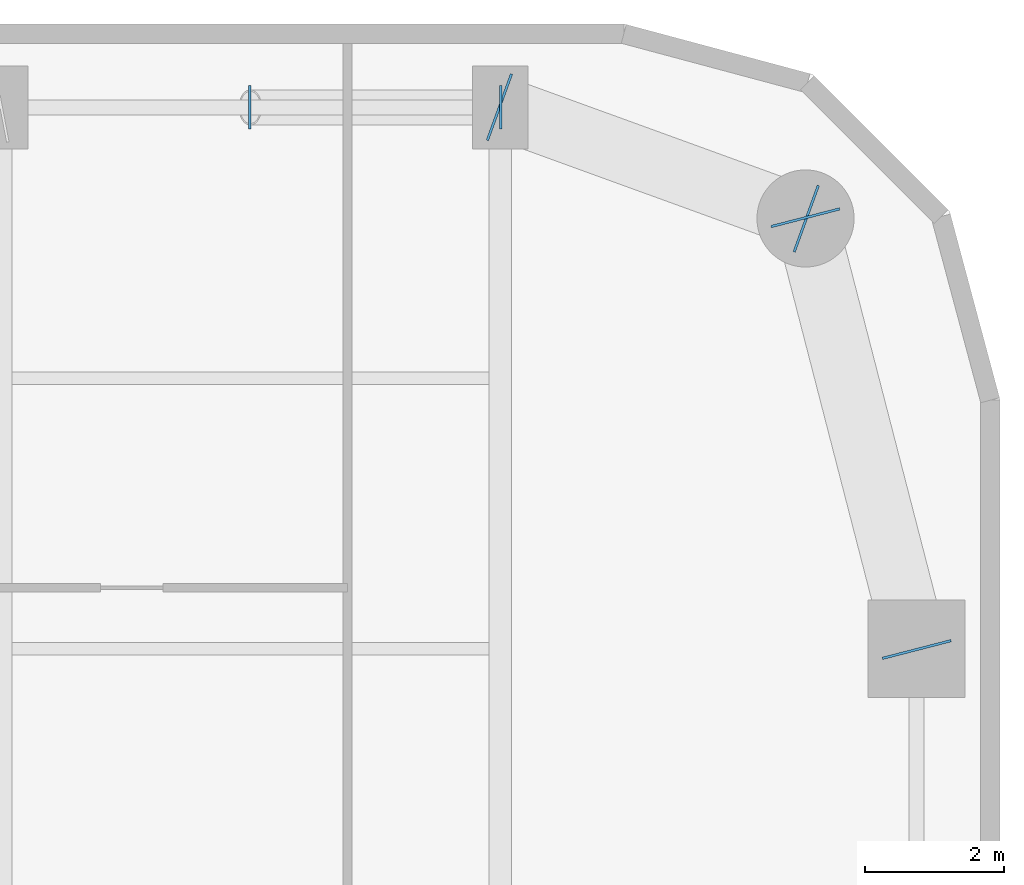
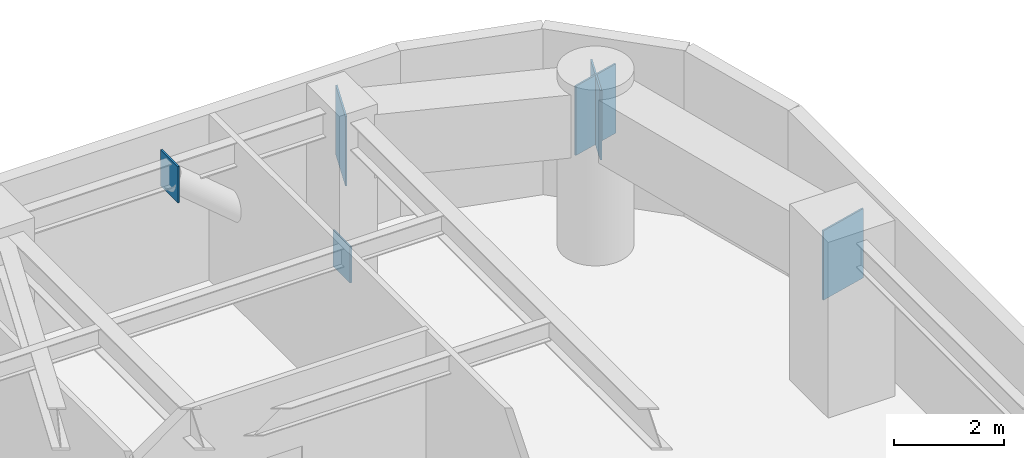
# One storey, part 23 of 31: 6 plates.
"""IFC4 building model written with IfcOpenShell, lengths in metres."""

import ifcopenshell
import ifcopenshell.guid

model = None  # the IFC model being written
_history = None  # IfcOwnerHistory: only IFC2X3 demands one
_inside = {}  # id of a spatial element -> (the spatial element, [elements in it])
_under = {}  # id of a project, library or spatial element -> (it, [spatial elements below it])
_declared = {}  # id of a project -> (the project, [libraries it declares])
_typed = {}  # id of a type object -> (the type object, [elements of that type])
_made_of = {}  # id of a material, layer set ... -> (it, [elements and type objects made of it])


def new_model(schema):
    """Start an empty IFC model of exactly this schema.

    Asked for "IFC4X3", IfcOpenShell would pick the latest addendum, in which some entities
    have other attributes; the version numbers below select the first issue.
    IFC2X3 requires an IfcOwnerHistory on every rooted entity: one is made here for all.
    """
    global model, _history
    if schema == "IFC4X3":
        model = ifcopenshell.file(schema_version=(4, 3, 0, 0))
    else:
        model = ifcopenshell.file(schema=schema)
    _inside.clear()
    _under.clear()
    _declared.clear()
    _typed.clear()
    _made_of.clear()
    _history = None
    if model.schema == "IFC2X3":
        org = make("IfcOrganization", Name="unknown")
        user = make(
            "IfcPersonAndOrganization",
            ThePerson=make("IfcPerson", FamilyName="unknown"),
            TheOrganization=org,
        )
        app = make(
            "IfcApplication",
            ApplicationDeveloper=org,
            Version="unknown",
            ApplicationFullName="unknown",
            ApplicationIdentifier="unknown",
        )
        _history = make(
            "IfcOwnerHistory",
            OwningUser=user,
            OwningApplication=app,
            ChangeAction="ADDED",
            CreationDate=0,
        )
    return model


def make(cls, **values):
    """One entity of the class cls with the attributes given. An attribute that is None is left unset."""
    return model.create_entity(
        cls, **{name: value for name, value in values.items() if value is not None}
    )


def rooted(cls, **values):
    """An entity with a GlobalId (a new one), such as an element, a storey or a relation."""
    return make(cls, GlobalId=ifcopenshell.guid.new(), OwnerHistory=_history, **values)


def si_unit(unit_type, name, prefix=None):
    """IfcSIUnit, for example si_unit("LENGTHUNIT", "METRE", prefix="MILLI")."""
    return make("IfcSIUnit", UnitType=unit_type, Prefix=prefix, Name=name)


def assignment(units):
    """IfcUnitAssignment: the units of a project."""
    return None if units is None else make("IfcUnitAssignment", Units=units)


def point(xyz):
    """IfcCartesianPoint."""
    return None if xyz is None else make("IfcCartesianPoint", Coordinates=xyz)


def direction(xyz):
    """IfcDirection."""
    return None if xyz is None else make("IfcDirection", DirectionRatios=xyz)


def frame(location, z_axis=None, x_axis=None):
    """IfcAxis2Placement3D, a coordinate frame: its origin and axes. An axis left out is left unset."""
    return make(
        "IfcAxis2Placement3D",
        Location=point(location),
        Axis=direction(z_axis),
        RefDirection=direction(x_axis),
    )


def frame_2d(location, x_axis=None):
    """IfcAxis2Placement2D, a coordinate frame in the plane: its origin and x axis."""
    return make(
        "IfcAxis2Placement2D", Location=point(location), RefDirection=direction(x_axis)
    )


def origin():
    """The frame at (0, 0, 0) with its axes left unset."""
    return frame((0.0, 0.0, 0.0))


def origin_2d():
    """The frame at (0, 0) in the plane with its x axis left unset."""
    return frame_2d((0.0, 0.0))


def place(relative_to, where):
    """IfcLocalPlacement: puts the frame where relative to a parent placement (None: the world)."""
    return make(
        "IfcLocalPlacement", PlacementRelTo=relative_to, RelativePlacement=where
    )


def context(
    kind, dimensions, precision=None, world=None, true_north=None, identifier=None
):
    """IfcGeometricRepresentationContext, for example the 3D "Model" context."""
    return make(
        "IfcGeometricRepresentationContext",
        ContextIdentifier=identifier,
        ContextType=kind,
        CoordinateSpaceDimension=dimensions,
        Precision=precision,
        WorldCoordinateSystem=world,
        TrueNorth=true_north,
    )


def subcontext(parent, identifier, kind, view, scale=None):
    """IfcGeometricRepresentationSubContext, for example "Body" below "Model"."""
    return make(
        "IfcGeometricRepresentationSubContext",
        ContextIdentifier=identifier,
        ContextType=kind,
        ParentContext=parent,
        TargetScale=scale,
        TargetView=view,
    )


def project(units=None, contexts=None):
    """IfcProject with its units and contexts."""
    return rooted(
        "IfcProject",
        Name="project",
        RepresentationContexts=contexts,
        UnitsInContext=assignment(units),
    )


def spatial(cls, under=None, at=None, **own):
    """A site, building, storey or space (cls), placed at a placement, below another one or the project."""
    s = rooted(cls, ObjectPlacement=at, **own)
    if under is not None:
        _under.setdefault(under.id(), (under, []))[1].append(s)
    return s


def profile(cls, at=None, kind="AREA", **sizes):
    """A parametric profile (cls). Its sizes go by their IFC names, for example OverallWidth=200.0."""
    return make(cls, ProfileType=kind, Position=at, **sizes)


def rectangle(**sizes):
    """IfcRectangleProfileDef."""
    return profile("IfcRectangleProfileDef", **sizes)


def extrude(swept, where, along, depth):
    """IfcExtrudedAreaSolid: the profile swept, set in the frame where, extruded along a direction by depth."""
    return make(
        "IfcExtrudedAreaSolid",
        SweptArea=swept,
        Position=where,
        ExtrudedDirection=direction(along),
        Depth=depth,
    )


def shape(context_of_items, identifier, shape_type, items):
    """IfcShapeRepresentation: the items that make up one representation, for example the "Body"."""
    return make(
        "IfcShapeRepresentation",
        ContextOfItems=context_of_items,
        RepresentationIdentifier=identifier,
        RepresentationType=shape_type,
        Items=items,
    )


def material(Name=None, Category=None):
    """IfcMaterial."""
    return make("IfcMaterial", Name=Name, Category=Category)


def layer(
    of_material, thickness, ventilated=None, Name=None, Category=None, Priority=None
):
    """IfcMaterialLayer: one layer of a wall or slab, of a material (None: an air gap)."""
    return make(
        "IfcMaterialLayer",
        Material=of_material,
        LayerThickness=thickness,
        IsVentilated=ventilated,
        Name=Name,
        Category=Category,
        Priority=Priority,
    )


def layer_set(layers, Name=None):
    """IfcMaterialLayerSet."""
    return make("IfcMaterialLayerSet", MaterialLayers=layers, LayerSetName=Name)


def made_of(thing, what):
    """Note that an element or type object is made of a material, layer set ...; save() writes the relation."""
    if what is not None:
        _made_of.setdefault(what.id(), (what, []))[1].append(thing)
    return thing


def type_object(cls, material=None, **own):
    """A type object (cls), such as IfcWallType, which elements share."""
    return made_of(rooted(cls, **own), material)


def element(
    cls,
    number,
    at=None,
    inside=None,
    cuts=None,
    type_object=None,
    material=None,
    context=None,
    identifier="Body",
    shape_type=None,
    held_by="IfcProductDefinitionShape",
    body=None,
    shapes=None,
    **own,
):
    """One element of the class cls, such as IfcWall. Its Tag is "e" and its number.

    at: its placement. inside: the storey or other place that contains it. cuts: it is an
    opening in that element (IfcRelVoidsElement). A single representation is given by context,
    identifier, shape_type and body (its items); several are given by shapes. held_by: the class
    of the entity that holds the representations. save() writes the other relations.
    """
    e = rooted(cls, Tag="e%d" % number, ObjectPlacement=at, **own)
    if body is not None:
        shapes = [shape(context, identifier, shape_type, body)]
    if shapes is not None:
        e.Representation = make(held_by, Representations=shapes)
    if inside is not None:
        _inside.setdefault(inside.id(), (inside, []))[1].append(e)
    if cuts is not None:
        rooted(
            "IfcRelVoidsElement", RelatingBuildingElement=cuts, RelatedOpeningElement=e
        )
    if type_object is not None:
        _typed.setdefault(type_object.id(), (type_object, []))[1].append(e)
    return made_of(e, material)


def aggregate(whole, parts):
    """IfcRelAggregates: a whole, such as a stair, and the parts it consists of."""
    return rooted("IfcRelAggregates", RelatingObject=whole, RelatedObjects=parts)


def save(model, path):
    """Write the relations noted so far, then the file.

    IfcRelAggregates (storeys below a building ...), IfcRelContainedInSpatialStructure (elements
    in a storey), IfcRelDefinesByType, IfcRelAssociatesMaterial and IfcRelDeclares: one each for
    every whole, place, type object, material and project.
    """
    for whole, parts in _under.values():
        aggregate(whole, parts)
    for where, things in _inside.values():
        rooted(
            "IfcRelContainedInSpatialStructure",
            RelatedElements=things,
            RelatingStructure=where,
        )
    for kind, things in _typed.values():
        rooted("IfcRelDefinesByType", RelatedObjects=things, RelatingType=kind)
    for what, things in _made_of.values():
        rooted("IfcRelAssociatesMaterial", RelatedObjects=things, RelatingMaterial=what)
    for by, libraries in _declared.values():
        rooted("IfcRelDeclares", RelatingContext=by, RelatedDefinitions=libraries)
    model.write(path)


model = new_model("IFC4")

# Units and contexts
model_context = context("Model", 3, precision=1e-05, world=origin(), true_north=direction((0.0, 1.0)))
body_context = subcontext(model_context, "Body", "Model", "MODEL_VIEW")
ifc_project = project(units=[si_unit("LENGTHUNIT", "METRE"), si_unit("AREAUNIT", "SQUARE_METRE"), si_unit("VOLUMEUNIT", "CUBIC_METRE"), si_unit("PLANEANGLEUNIT", "RADIAN"), si_unit("MASSUNIT", "GRAM", prefix="KILO")], contexts=[model_context])

# Site, building, storey
site_placement = place(None, origin())
site = spatial("IfcSite", under=ifc_project, at=site_placement, CompositionType="ELEMENT")
building_placement = place(site_placement, origin())
building = spatial("IfcBuilding", under=site, at=building_placement, Name="Kiyonajd Concourse Tower", CompositionType="ELEMENT")
storey_placement = place(building_placement, frame((0.0, 0.0, 158.39990234375)))
storey = spatial("IfcBuildingStorey", under=building, at=storey_placement, Name="L40", CompositionType="ELEMENT", Elevation=158.39990234375)

# Plates
ifc_material = material(Name="Steel ASTM A572 Grade 50", Category="steel")
ifc_layer_1 = layer(ifc_material, 0.028076171875)
ifc_layer_set_1 = layer_set([ifc_layer_1], Name="Steel ASTM A572 Grade 50")
plate_type_1 = type_object("IfcPlateType", Name="PL-CAP-450", PredefinedType="USERDEFINED", material=ifc_layer_set_1)
for number, where, z_axis, x_axis, name in (
    (1, (63.6083984375, 61.199951171875, -0.10888671875), (0.0, 0.0, 1.0), (1.0, 0.0, 0.0), "L40 Hollow Brace End Cap Plate PBN"),
    (2, (59.99169921875, 61.199951171875, 2.93505859375), (0.0, 0.0, 1.0), (-1.0, 0.0, 0.0), "L40 Hollow Brace Top Cap Plate PBN"),
):
    element("IfcPlate", number, at=place(storey_placement, frame(where, z_axis=z_axis, x_axis=x_axis)), inside=storey, type_object=plate_type_1, Name=name, ObjectType="CAP PLATE", PredefinedType="USERDEFINED", context=body_context, shape_type="SweptSolid", body=[
        extrude(rectangle(XDim=0.035888671875, YDim=0.6279296875, at=origin_2d()), origin(), (0.0, 0.0, 1.0), 0.803955078125),
    ])
ifc_layer_2 = layer(ifc_material, 0.031982421875)
ifc_layer_set_2 = layer_set([ifc_layer_2], Name="Steel ASTM A572 Grade 50")
plate_type_2 = type_object("IfcPlateType", Name="PL-CAP-540", PredefinedType="USERDEFINED", material=ifc_layer_set_2)
for number, where, z_axis, x_axis, name in (
    (3, (69.602783203125, 53.389404296875, 2.2099609375), (0.0, 0.0, 1.0), (0.249873048837, -0.968278606324, 0.0), "L40 Welded Box Girder End Cap"),
    (4, (67.997314453125, 59.610595703125, 2.2099609375), (0.0, 0.0, 1.0), (-0.249873048837, 0.968278606324, 0.0), "L40 Welded Box Girder End Cap"),
    (5, (68.01025390625, 59.59619140625, 2.2099609375), (0.0, 0.0, 1.0), (0.939811951086, -0.341692107891, 0.0), "L40 Welded Box Girder End Cap"),
    (6, (63.589599609375, 61.203857421875, 2.2099609375), (0.0, 0.0, 1.0), (-0.939811951086, 0.341692107891, 0.0), "L40 Welded Box Girder End Cap"),
):
    element("IfcPlate", number, at=place(storey_placement, frame(where, z_axis=z_axis, x_axis=x_axis)), inside=storey, type_object=plate_type_2, Name=name, ObjectType="CAP PLATE", PredefinedType="USERDEFINED", context=body_context, shape_type="SweptSolid", body=[
        extrude(rectangle(XDim=0.035888671875, YDim=1.02001953125, at=origin_2d()), origin(), (0.0, 0.0, 1.0), 1.5400390625),
    ])

save(model, "model.ifc")
